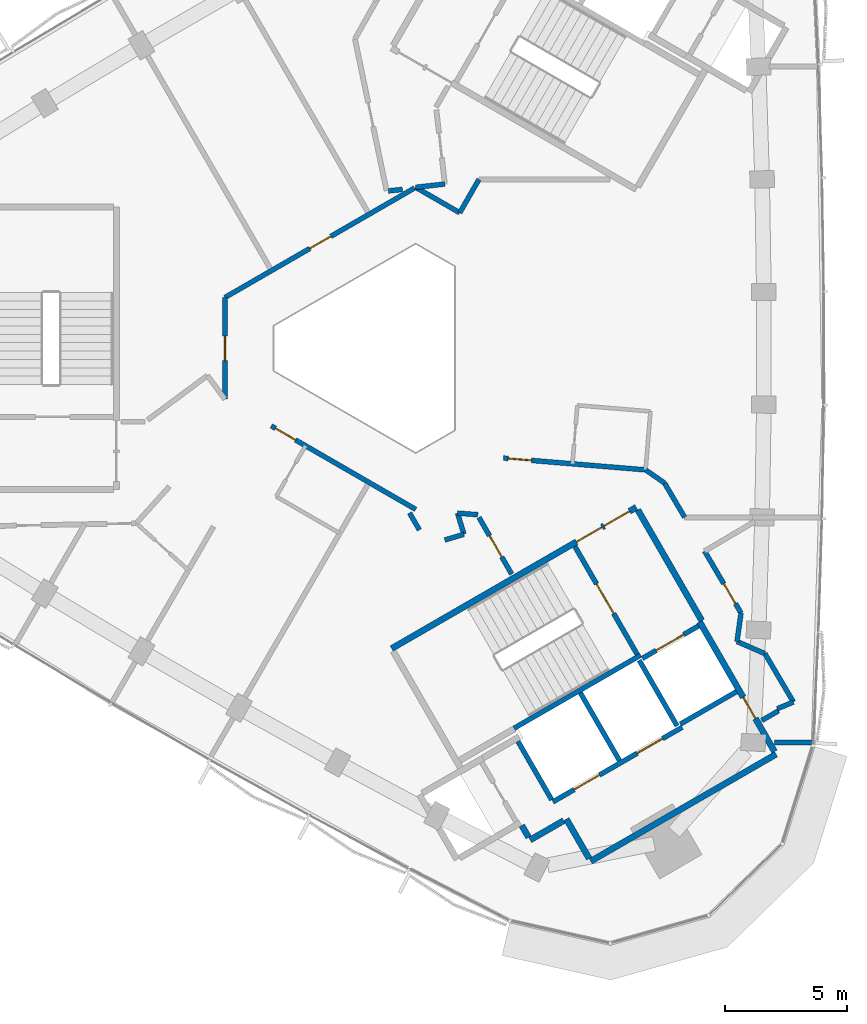
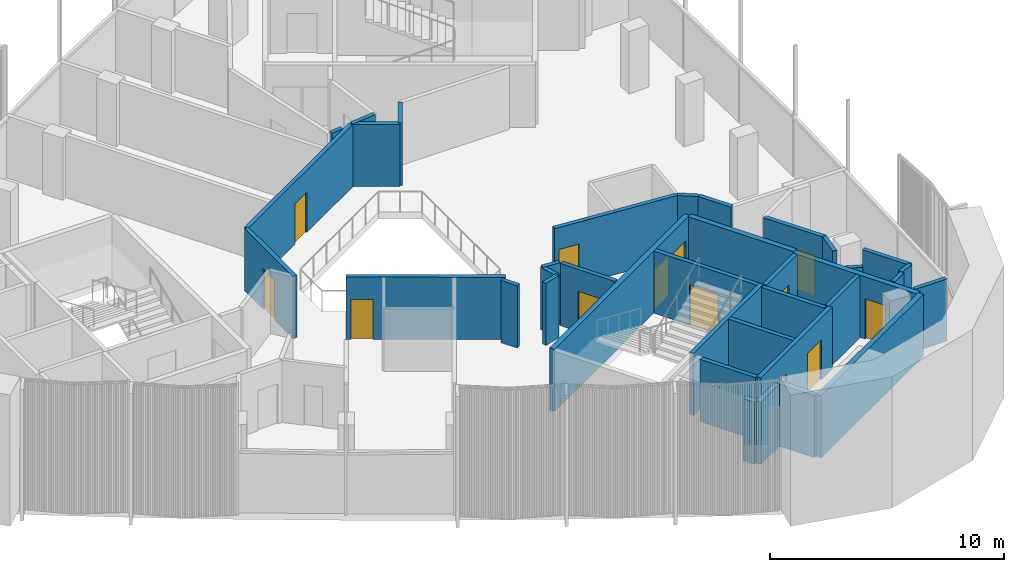
# One storey, part 7 of 12: 37 walls, 13 doors, 13 openings.
"""IFC4 building model written with IfcOpenShell, lengths in metres."""

from ifc_helpers import new_model, si_unit, direction, frame, frame_2d, origin, place, context, subcontext, project, spatial, rectangle, extrude, material, layer, layer_set, type_object, element, fill, save


model = new_model("IFC4")

# Units and contexts
model_context = context("Model", 3, precision=1e-05, world=origin(), true_north=direction((0.0, 1.0)))
body_context = subcontext(model_context, "Body", "Model", "MODEL_VIEW")
ifc_project = project(units=[si_unit("LENGTHUNIT", "METRE"), si_unit("AREAUNIT", "SQUARE_METRE"), si_unit("VOLUMEUNIT", "CUBIC_METRE"), si_unit("PLANEANGLEUNIT", "RADIAN"), si_unit("MASSUNIT", "GRAM", prefix="KILO")], contexts=[model_context])

# Site, building, storey
site_placement = place(None, origin())
site = spatial("IfcSite", under=ifc_project, at=site_placement, CompositionType="ELEMENT")
building_placement = place(site_placement, origin())
building = spatial("IfcBuilding", under=site, at=building_placement, Name="Tamra Quay Hotel Tower", CompositionType="ELEMENT")
storey_placement = place(building_placement, frame((0.0, 0.0, 273.0)))
storey = spatial("IfcBuildingStorey", under=building, at=storey_placement, Name="L69", CompositionType="ELEMENT", Elevation=273.0)

# Wall
ifc_material_1 = material(Name="Concrete M70", Category="concrete")
ifc_layer_1 = layer(ifc_material_1, 0.199951171875)
ifc_layer_set_1 = layer_set([ifc_layer_1], Name="Concrete M70 core wall 200")
wall_type_1 = type_object("IfcWallType", Name="Concrete M70 core wall 200", PredefinedType="SHEAR", material=ifc_layer_set_1)
wall_1_placement = place(storey_placement, frame((5.4189453125, -15.533935546875, 0.0), z_axis=(0.0, 0.0, 1.0), x_axis=(0.866029065029, 0.499993658486, 0.0)))
element("IfcWall", 1, at=wall_1_placement, inside=storey, type_object=wall_type_1, Name="CW2", PredefinedType="SHEAR", context=body_context, shape_type="SweptSolid", body=[
    extrude(rectangle(XDim=5.97412109375, YDim=0.199951171875, at=frame_2d((2.987060546875, 0.0))), origin(), (0.0, 0.0, 1.0), 3.25),
])

# Wall, openings, doors
wall_2_placement = place(storey_placement, frame((7.009765625, -18.54150390625, 0.0), z_axis=(0.0, 0.0, 1.0), x_axis=(0.866030299012, 0.499991521122, 0.0)))
wall_2 = element("IfcWall", 2, at=wall_2_placement, inside=storey, type_object=wall_type_1, Name="CW2", PredefinedType="SHEAR", context=body_context, shape_type="SweptSolid", body=[
    extrude(rectangle(XDim=6.10009765625, YDim=0.199951171875, at=frame_2d((3.050048828125, 0.0))), origin(), (0.0, 0.0, 1.0), 3.25),
])
opening_1_placement = place(wall_2_placement, frame((1.0, 0.0, 0.0)))
opening_1 = element("IfcOpeningElement", 3, at=opening_1_placement, cuts=wall_2, Name="Opening LD", PredefinedType="OPENING", context=body_context, shape_type="SweptSolid", body=[
    extrude(rectangle(XDim=1.199951171875, YDim=2.10009765625, at=frame_2d((0.60009765625, 1.050048828125))), frame((0.0, 0.10986328125, 0.0), z_axis=(0.0, -1.0, 0.0), x_axis=(1.0, 0.0, 0.0)), (0.0, 0.0, 1.0), 0.219970703125),
])
opening_2_placement = place(wall_2_placement, frame((3.982177734375, 0.0, 0.0)))
opening_2 = element("IfcOpeningElement", 4, at=opening_2_placement, cuts=wall_2, Name="Opening LD", PredefinedType="OPENING", context=body_context, shape_type="SweptSolid", body=[
    extrude(rectangle(XDim=1.199951171875, YDim=2.10009765625, at=frame_2d((0.60009765625, 1.050048828125))), frame((0.0, 0.10986328125, 0.0), z_axis=(0.0, -1.0, 0.0), x_axis=(1.0, 0.0, 0.0)), (0.0, 0.0, 1.0), 0.219970703125),
])
ifc_material_2 = material(Name="Landing door LD 1200 double door sliding")
door_type_1 = type_object("IfcDoorType", Name="Landing door LD 1200 double door sliding", OperationType="DOUBLE_DOOR_SLIDING", PredefinedType="DOOR", material=ifc_material_2)
door_1_placement = place(opening_1_placement, origin())
door_1 = element("IfcDoor", 5, at=door_1_placement, inside=storey, type_object=door_type_1, Name="LD", OperationType="DOUBLE_DOOR_SLIDING", OverallHeight=2.10009765625, OverallWidth=1.199951171875, PredefinedType="DOOR", context=body_context, shape_type="SweptSolid", body=[
    extrude(rectangle(XDim=1.199951171875, YDim=2.10009765625, at=frame_2d((0.60009765625, 1.050048828125))), frame((0.0, 0.02490234375, 0.0), z_axis=(0.0, -1.0, 0.0), x_axis=(1.0, 0.0, 0.0)), (0.0, 0.0, 1.0), 0.050048828125),
])
fill(opening_1, door_1)
door_2_placement = place(opening_2_placement, origin())
door_2 = element("IfcDoor", 6, at=door_2_placement, inside=storey, type_object=door_type_1, Name="LD", OperationType="DOUBLE_DOOR_SLIDING", OverallHeight=2.10009765625, OverallWidth=1.199951171875, PredefinedType="DOOR", context=body_context, shape_type="SweptSolid", body=[
    extrude(rectangle(XDim=1.199951171875, YDim=2.10009765625, at=frame_2d((0.60009765625, 1.050048828125))), frame((0.0, 0.02490234375, 0.0), z_axis=(0.0, -1.0, 0.0), x_axis=(1.0, 0.0, 0.0)), (0.0, 0.0, 1.0), 0.050048828125),
])
fill(opening_2, door_2)

# Wall, opening, door
wall_3_placement = place(storey_placement, frame((7.906494140625, -8.094482421875, 0.0), z_axis=(0.0, 0.0, 1.0), x_axis=(0.500027839223, -0.866009330205, 0.0)))
wall_3 = element("IfcWall", 7, at=wall_3_placement, inside=storey, type_object=wall_type_1, Name="CW2", PredefinedType="SHEAR", context=body_context, shape_type="SweptSolid", body=[
    extrude(rectangle(XDim=5.097900390625, YDim=0.199951171875, at=frame_2d((2.548828125, 0.0))), origin(), (0.0, 0.0, 1.0), 3.25),
])
opening_3_placement = place(wall_3_placement, frame((1.77392578125, 0.0, 0.0)))
opening_3 = element("IfcOpeningElement", 8, at=opening_3_placement, cuts=wall_3, Name="Opening FD2", PredefinedType="OPENING", context=body_context, shape_type="SweptSolid", body=[
    extrude(rectangle(XDim=1.39990234375, YDim=2.10009765625, at=frame_2d((0.699951171875, 1.050048828125))), frame((0.0, 0.10986328125, 0.0), z_axis=(0.0, -1.0, 0.0), x_axis=(1.0, 0.0, 0.0)), (0.0, 0.0, 1.0), 0.219970703125),
])
ifc_material_3 = material(Name="Core door FD2 1400x2100 LH")
door_type_2 = type_object("IfcDoorType", Name="Core door FD2 1400x2100 LH", OperationType="NOTDEFINED", PredefinedType="DOOR", material=ifc_material_3)
door_3_placement = place(opening_3_placement, origin())
door_3 = element("IfcDoor", 9, at=door_3_placement, inside=storey, type_object=door_type_2, Name="FD2", OperationType="SINGLE_SWING_LEFT", OverallHeight=2.10009765625, OverallWidth=1.39990234375, PredefinedType="DOOR", context=body_context, shape_type="SweptSolid", body=[
    extrude(rectangle(XDim=1.39990234375, YDim=2.10009765625, at=frame_2d((0.699951171875, 1.050048828125))), frame((0.0, 0.02490234375, 0.0), z_axis=(0.0, -1.0, 0.0), x_axis=(1.0, 0.0, 0.0)), (0.0, 0.0, 1.0), 0.050048828125),
])
fill(opening_3, door_3)

# Walls
wall_4_placement = place(storey_placement, frame((8.131591796875, -14.084228515625, 0.0), z_axis=(0.0, 0.0, 1.0), x_axis=(0.499997778408, -0.866026686418, 0.0)))
element("IfcWall", 10, at=wall_4_placement, inside=storey, type_object=wall_type_1, Name="CW2", PredefinedType="SHEAR", context=body_context, shape_type="SweptSolid", body=[
    extrude(rectangle(XDim=3.1982421875, YDim=0.199951171875, at=frame_2d((1.59912109375, 0.0))), origin(), (0.0, 0.0, 1.0), 3.25),
])
wall_5_placement = place(storey_placement, frame((6.959716796875, -18.455078125, 0.0), z_axis=(0.0, 0.0, 1.0), x_axis=(-0.499926705758, 0.866067716099, 0.0)))
element("IfcWall", 11, at=wall_5_placement, inside=storey, type_object=wall_type_1, Name="CW2", PredefinedType="SHEAR", context=body_context, shape_type="SweptSolid", body=[
    extrude(rectangle(XDim=2.75927734375, YDim=0.199951171875, at=frame_2d((1.379638671875, 0.0))), origin(), (0.0, 0.0, 1.0), 3.25),
])
wall_6_placement = place(storey_placement, frame((12.087646484375, -15.4365234375, 0.0), z_axis=(0.0, 0.0, 1.0), x_axis=(-0.500026960575, 0.86600983753, 0.0)))
element("IfcWall", 12, at=wall_6_placement, inside=storey, type_object=wall_type_1, Name="CW2", PredefinedType="SHEAR", context=body_context, shape_type="SweptSolid", body=[
    extrude(rectangle(XDim=3.099853515625, YDim=0.199951171875, at=frame_2d((1.5498046875, 0.0))), origin(), (0.0, 0.0, 1.0), 3.25),
])

# Wall, opening, door
wall_7_placement = place(storey_placement, frame((10.666015625, -12.677734375, 0.0), z_axis=(0.0, 0.0, 1.0), x_axis=(0.866018407898, 0.500012117035, 0.0)))
wall_7 = element("IfcWall", 13, at=wall_7_placement, inside=storey, type_object=wall_type_1, Name="CW2", PredefinedType="SHEAR", context=body_context, shape_type="SweptSolid", body=[
    extrude(rectangle(XDim=2.65087890625, YDim=0.199951171875, at=frame_2d((1.325439453125, 0.0))), origin(), (0.0, 0.0, 1.0), 3.25),
])
opening_4_placement = place(wall_7_placement, frame((0.65185546875, 0.0, 0.0)))
opening_4 = element("IfcOpeningElement", 14, at=opening_4_placement, cuts=wall_7, Name="Opening LD", PredefinedType="OPENING", context=body_context, shape_type="SweptSolid", body=[
    extrude(rectangle(XDim=1.300048828125, YDim=2.10009765625, at=frame_2d((0.64990234375, 1.050048828125))), frame((0.0, 0.10986328125, 0.0), z_axis=(0.0, -1.0, 0.0), x_axis=(1.0, 0.0, 0.0)), (0.0, 0.0, 1.0), 0.219970703125),
])
ifc_material_4 = material(Name="Landing door LD 1300 sliding to left")
door_type_3 = type_object("IfcDoorType", Name="Landing door LD 1300 sliding to left", OperationType="NOTDEFINED", PredefinedType="DOOR", material=ifc_material_4)
door_4_placement = place(opening_4_placement, origin())
door_4 = element("IfcDoor", 15, at=door_4_placement, inside=storey, type_object=door_type_3, Name="LD", OperationType="SLIDING_TO_LEFT", OverallHeight=2.10009765625, OverallWidth=1.300048828125, PredefinedType="DOOR", context=body_context, shape_type="SweptSolid", body=[
    extrude(rectangle(XDim=1.300048828125, YDim=2.10009765625, at=frame_2d((0.64990234375, 1.050048828125))), frame((0.0, 0.02490234375, 0.0), z_axis=(0.0, -1.0, 0.0), x_axis=(1.0, 0.0, 0.0)), (0.0, 0.0, 1.0), 0.050048828125),
])
fill(opening_4, door_4)

# Wall
wall_8_placement = place(storey_placement, frame((14.51171875, -14.037109375, 0.0), z_axis=(0.0, 0.0, 1.0), x_axis=(-0.866018407898, -0.500012117035, 0.0)))
element("IfcWall", 16, at=wall_8_placement, inside=storey, type_object=wall_type_1, Name="CW2", PredefinedType="SHEAR", context=body_context, shape_type="SweptSolid", body=[
    extrude(rectangle(XDim=2.65087890625, YDim=0.199951171875, at=frame_2d((1.325439453125, 0.0))), origin(), (0.0, 0.0, 1.0), 3.25),
])

# Wall, openings, doors
ifc_layer_2 = layer(ifc_material_1, 0.25)
ifc_layer_set_2 = layer_set([ifc_layer_2], Name="Concrete M70 core wall 250")
wall_type_2 = type_object("IfcWallType", Name="Concrete M70 core wall 250", PredefinedType="SHEAR", material=ifc_layer_set_2)
wall_9_placement = place(storey_placement, frame((0.417236328125, -12.27294921875, 0.0), z_axis=(0.0, 0.0, 1.0), x_axis=(0.866021906294, 0.500006057782, 0.0)))
wall_9 = element("IfcWall", 17, at=wall_9_placement, inside=storey, type_object=wall_type_2, Name="CW1", PredefinedType="SHEAR", context=body_context, shape_type="SweptSolid", body=[
    extrude(rectangle(XDim=11.550048828125, YDim=0.25, at=frame_2d((5.77490234375, 0.0))), origin(), (0.0, 0.0, 1.0), 3.25),
])
opening_5_placement = place(wall_9_placement, frame((10.024658203125, 0.0, 0.0)))
opening_5 = element("IfcOpeningElement", 18, at=opening_5_placement, cuts=wall_9, Name="Opening FD1", PredefinedType="OPENING", context=body_context, shape_type="SweptSolid", body=[
    extrude(rectangle(XDim=1.199951171875, YDim=2.10009765625, at=frame_2d((0.60009765625, 1.050048828125))), frame((0.0, 0.135009765625, 0.0), z_axis=(0.0, -1.0, 0.0), x_axis=(1.0, 0.0, 0.0)), (0.0, 0.0, 1.0), 0.27001953125),
])
opening_6_placement = place(wall_9_placement, frame((8.724609375, 0.0, 0.0)))
opening_6 = element("IfcOpeningElement", 19, at=opening_6_placement, cuts=wall_9, Name="Opening FD1", PredefinedType="OPENING", context=body_context, shape_type="SweptSolid", body=[
    extrude(rectangle(XDim=1.199951171875, YDim=2.10009765625, at=frame_2d((0.60009765625, 1.050048828125))), frame((0.0, 0.135009765625, 0.0), z_axis=(0.0, -1.0, 0.0), x_axis=(1.0, 0.0, 0.0)), (0.0, 0.0, 1.0), 0.27001953125),
])
ifc_material_5 = material(Name="Core door FD1 1200x2100 LH")
door_type_4 = type_object("IfcDoorType", Name="Core door FD1 1200x2100 LH", OperationType="NOTDEFINED", PredefinedType="DOOR", material=ifc_material_5)
door_5_placement = place(opening_5_placement, origin())
door_5 = element("IfcDoor", 20, at=door_5_placement, inside=storey, type_object=door_type_4, Name="FD1", OperationType="SINGLE_SWING_LEFT", OverallHeight=2.10009765625, OverallWidth=1.199951171875, PredefinedType="DOOR", context=body_context, shape_type="SweptSolid", body=[
    extrude(rectangle(XDim=1.199951171875, YDim=2.10009765625, at=frame_2d((0.60009765625, 1.050048828125))), frame((0.0, 0.02490234375, 0.0), z_axis=(0.0, -1.0, 0.0), x_axis=(1.0, 0.0, 0.0)), (0.0, 0.0, 1.0), 0.050048828125),
])
fill(opening_5, door_5)
ifc_material_6 = material(Name="Core door FD1 1200x2100 RH")
door_type_5 = type_object("IfcDoorType", Name="Core door FD1 1200x2100 RH", OperationType="NOTDEFINED", PredefinedType="DOOR", material=ifc_material_6)
door_6_placement = place(opening_6_placement, origin())
door_6 = element("IfcDoor", 21, at=door_6_placement, inside=storey, type_object=door_type_5, Name="FD1", OperationType="SINGLE_SWING_RIGHT", OverallHeight=2.10009765625, OverallWidth=1.199951171875, PredefinedType="DOOR", context=body_context, shape_type="SweptSolid", body=[
    extrude(rectangle(XDim=1.199951171875, YDim=2.10009765625, at=frame_2d((0.60009765625, 1.050048828125))), frame((0.0, 0.02490234375, 0.0), z_axis=(0.0, -1.0, 0.0), x_axis=(1.0, 0.0, 0.0)), (0.0, 0.0, 1.0), 0.050048828125),
])
fill(opening_6, door_6)

# Wall
wall_10_placement = place(storey_placement, frame((16.13330078125, -16.59375, 0.0), z_axis=(0.0, 0.0, 1.0), x_axis=(-0.866022959057, -0.500004234368, 0.0)))
element("IfcWall", 22, at=wall_10_placement, inside=storey, type_object=wall_type_2, Name="CW1", PredefinedType="SHEAR", context=body_context, shape_type="SweptSolid", body=[
    extrude(rectangle(XDim=8.75, YDim=0.25, at=frame_2d((4.375, 0.0))), origin(), (0.0, 0.0, 1.0), 3.25),
])

# Wall, opening, door
wall_11_placement = place(storey_placement, frame((13.00830078125, -11.18115234375, 0.0), z_axis=(0.0, 0.0, 1.0), x_axis=(0.500001955336, -0.866024274868, 0.0)))
wall_11 = element("IfcWall", 23, at=wall_11_placement, inside=storey, type_object=wall_type_2, Name="CW1", PredefinedType="SHEAR", context=body_context, shape_type="SweptSolid", body=[
    extrude(rectangle(XDim=6.12451171875, YDim=0.25, at=frame_2d((3.062255859375, 0.0))), origin(), (0.0, 0.0, 1.0), 3.25),
])
opening_7_placement = place(wall_11_placement, frame((3.562744140625, 0.0, 0.0)))
opening_7 = element("IfcOpeningElement", 24, at=opening_7_placement, cuts=wall_11, Name="Opening FD3", PredefinedType="OPENING", context=body_context, shape_type="SweptSolid", body=[
    extrude(rectangle(XDim=1.0, YDim=2.10009765625, at=frame_2d((0.5, 1.050048828125))), frame((0.0, 0.135009765625, 0.0), z_axis=(0.0, -1.0, 0.0), x_axis=(1.0, 0.0, 0.0)), (0.0, 0.0, 1.0), 0.27001953125),
])
ifc_material_7 = material(Name="Core door FD3 1000x2100 LH")
door_type_6 = type_object("IfcDoorType", Name="Core door FD3 1000x2100 LH", OperationType="NOTDEFINED", PredefinedType="DOOR", material=ifc_material_7)
door_7_placement = place(opening_7_placement, origin())
door_7 = element("IfcDoor", 25, at=door_7_placement, inside=storey, type_object=door_type_6, Name="FD3", OperationType="SINGLE_SWING_LEFT", OverallHeight=2.10009765625, OverallWidth=1.0, PredefinedType="DOOR", context=body_context, shape_type="SweptSolid", body=[
    extrude(rectangle(XDim=1.0, YDim=2.10009765625, at=frame_2d((0.5, 1.050048828125))), frame((0.0, 0.02490234375, 0.0), z_axis=(0.0, -1.0, 0.0), x_axis=(1.0, 0.0, 0.0)), (0.0, 0.0, 1.0), 0.050048828125),
])
fill(opening_7, door_7)

# Walls
wall_12_placement = place(storey_placement, frame((10.482666015625, -6.6064453125, 0.0), z_axis=(0.0, 0.0, 1.0), x_axis=(0.49999885962, -0.866026062182, 0.0)))
element("IfcWall", 26, at=wall_12_placement, inside=storey, type_object=wall_type_2, Name="CW1", PredefinedType="SHEAR", context=body_context, shape_type="SweptSolid", body=[
    extrude(rectangle(XDim=5.224609375, YDim=0.25, at=frame_2d((2.6123046875, 0.0))), origin(), (0.0, 0.0, 1.0), 3.25),
])
wall_13_placement = place(storey_placement, frame((8.492919921875, -20.860107421875, 0.0), z_axis=(0.0, 0.0, 1.0), x_axis=(-0.500039802285, 0.866002422705, 0.0)))
element("IfcWall", 27, at=wall_13_placement, inside=storey, type_object=wall_type_2, Name="CW1", PredefinedType="SHEAR", context=body_context, shape_type="SweptSolid", body=[
    extrude(rectangle(XDim=1.864501953125, YDim=0.25, at=frame_2d((0.93212890625, 0.0))), origin(), (0.0, 0.0, 1.0), 3.25),
])
wall_14_placement = place(storey_placement, frame((7.451904296875, -19.30810546875, 0.0), z_axis=(0.0, 0.0, 1.0), x_axis=(-0.866044474677, -0.49996696679, 0.0)))
element("IfcWall", 28, at=wall_14_placement, inside=storey, type_object=wall_type_2, Name="CW1", PredefinedType="SHEAR", context=body_context, shape_type="SweptSolid", body=[
    extrude(rectangle(XDim=1.58447265625, YDim=0.25, at=frame_2d((0.792236328125, 0.0))), origin(), (0.0, 0.0, 1.0), 3.25),
])
wall_15_placement = place(storey_placement, frame((6.01708984375, -19.99169921875, 0.0), z_axis=(0.0, 0.0, 1.0), x_axis=(-0.500364886717, 0.865814633822, 0.0)))
element("IfcWall", 29, at=wall_15_placement, inside=storey, type_object=wall_type_2, Name="CW1", PredefinedType="SHEAR", context=body_context, shape_type="SweptSolid", body=[
    extrude(rectangle(XDim=0.55908203125, YDim=0.25, at=frame_2d((0.279541015625, 0.0))), origin(), (0.0, 0.0, 1.0), 3.25),
])

# Wall, opening, door
ifc_material_8 = material(Name="Partition corridor wall")
ifc_layer_3 = layer(ifc_material_8, 0.199951171875)
ifc_layer_set_3 = layer_set([ifc_layer_3], Name="Partition corridor wall")
wall_type_3 = type_object("IfcWallType", Name="Partition corridor wall", PredefinedType="PARTITIONING", material=ifc_layer_set_3)
wall_16_placement = place(storey_placement, frame((-6.39990234375, -2.077880859375, 0.0), z_axis=(0.0, 0.0, 1.0), x_axis=(0.0, 1.0, 0.0)))
wall_16 = element("IfcWall", 30, at=wall_16_placement, inside=storey, type_object=wall_type_3, Name="W-C", PredefinedType="PARTITIONING", context=body_context, shape_type="SweptSolid", body=[
    extrude(rectangle(XDim=4.156982421875, YDim=0.199951171875, at=frame_2d((2.07861328125, 0.0))), origin(), (0.0, 0.0, 1.0), 3.25),
])
opening_8_placement = place(wall_16_placement, frame((1.57861328125, 0.0, 0.0)))
opening_8 = element("IfcOpeningElement", 31, at=opening_8_placement, cuts=wall_16, Name="Opening L69-D008", PredefinedType="OPENING", context=body_context, shape_type="SweptSolid", body=[
    extrude(rectangle(XDim=1.0, YDim=2.10009765625, at=frame_2d((0.5, 1.050048828125))), frame((0.0, 0.10986328125, 0.0), z_axis=(0.0, -1.0, 0.0), x_axis=(1.0, 0.0, 0.0)), (0.0, 0.0, 1.0), 0.219970703125),
])
ifc_material_9 = material(Name="Door guest room 1000x2100")
door_type_7 = type_object("IfcDoorType", Name="Door guest room 1000x2100", OperationType="NOTDEFINED", PredefinedType="DOOR", material=ifc_material_9)
door_8_placement = place(opening_8_placement, origin())
door_8 = element("IfcDoor", 32, at=door_8_placement, inside=storey, type_object=door_type_7, Name="L69-D008", OperationType="SINGLE_SWING_LEFT", OverallHeight=2.10009765625, OverallWidth=1.0, PredefinedType="DOOR", context=body_context, shape_type="SweptSolid", body=[
    extrude(rectangle(XDim=1.0, YDim=2.10009765625, at=frame_2d((0.5, 1.050048828125))), frame((0.0, 0.02490234375, 0.0), z_axis=(0.0, -1.0, 0.0), x_axis=(1.0, 0.0, 0.0)), (0.0, 0.0, 1.0), 0.050048828125),
])
fill(opening_8, door_8)

wall_17_placement = place(storey_placement, frame((-6.39990234375, 2.07861328125, 0.0), z_axis=(0.0, 0.0, 1.0), x_axis=(0.866044821263, 0.499966366432, 0.0)))
wall_17 = element("IfcWall", 33, at=wall_17_placement, inside=storey, type_object=wall_type_3, Name="W-C", PredefinedType="PARTITIONING", context=body_context, shape_type="SweptSolid", body=[
    extrude(rectangle(XDim=8.953125, YDim=0.199951171875, at=frame_2d((4.4765625, 0.0))), origin(), (0.0, 0.0, 1.0), 3.25),
])
opening_9_placement = place(wall_17_placement, frame((4.003173828125, 0.0, 0.0)))
opening_9 = element("IfcOpeningElement", 34, at=opening_9_placement, cuts=wall_17, Name="Opening L69-D007", PredefinedType="OPENING", context=body_context, shape_type="SweptSolid", body=[
    extrude(rectangle(XDim=1.0, YDim=2.10009765625, at=frame_2d((0.5, 1.050048828125))), frame((0.0, 0.10986328125, 0.0), z_axis=(0.0, -1.0, 0.0), x_axis=(1.0, 0.0, 0.0)), (0.0, 0.0, 1.0), 0.219970703125),
])
door_9_placement = place(opening_9_placement, origin())
door_9 = element("IfcDoor", 35, at=door_9_placement, inside=storey, type_object=door_type_7, Name="L69-D007", OperationType="SINGLE_SWING_LEFT", OverallHeight=2.10009765625, OverallWidth=1.0, PredefinedType="DOOR", context=body_context, shape_type="SweptSolid", body=[
    extrude(rectangle(XDim=1.0, YDim=2.10009765625, at=frame_2d((0.5, 1.050048828125))), frame((0.0, 0.02490234375, 0.0), z_axis=(0.0, -1.0, 0.0), x_axis=(1.0, 0.0, 0.0)), (0.0, 0.0, 1.0), 0.050048828125),
])
fill(opening_9, door_9)

wall_18_placement = place(storey_placement, frame((-4.5048828125, -3.172119140625, 0.0), z_axis=(0.0, 0.0, 1.0), x_axis=(0.865815783666, -0.500362897061, 0.0)))
wall_18 = element("IfcWall", 36, at=wall_18_placement, inside=storey, type_object=wall_type_3, Name="W-C", PredefinedType="PARTITIONING", context=body_context, shape_type="SweptSolid", body=[
    extrude(rectangle(XDim=6.81884765625, YDim=0.199951171875, at=frame_2d((3.409423828125, 0.0))), origin(), (0.0, 0.0, 1.0), 3.25),
])
opening_10_placement = place(wall_18_placement, frame((0.199951171875, 0.0, 0.0)))
opening_10 = element("IfcOpeningElement", 37, at=opening_10_placement, cuts=wall_18, Name="Opening L69-D012", PredefinedType="OPENING", context=body_context, shape_type="SweptSolid", body=[
    extrude(rectangle(XDim=0.949951171875, YDim=2.10009765625, at=frame_2d((0.47509765625, 1.050048828125))), frame((0.0, 0.10986328125, 0.0), z_axis=(0.0, -1.0, 0.0), x_axis=(1.0, 0.0, 0.0)), (0.0, 0.0, 1.0), 0.219970703125),
])
ifc_material_10 = material(Name="Door guest room 950x2100")
door_type_8 = type_object("IfcDoorType", Name="Door guest room 950x2100", OperationType="NOTDEFINED", PredefinedType="DOOR", material=ifc_material_10)
door_10_placement = place(opening_10_placement, frame((0.949951171875, 0.0, 0.0), z_axis=(0.0, 0.0, 1.0), x_axis=(-1.0, 0.0, 0.0)))
door_10 = element("IfcDoor", 38, at=door_10_placement, inside=storey, type_object=door_type_8, Name="L69-D012", OperationType="SINGLE_SWING_LEFT", OverallHeight=2.10009765625, OverallWidth=0.949951171875, PredefinedType="DOOR", context=body_context, shape_type="SweptSolid", body=[
    extrude(rectangle(XDim=0.949951171875, YDim=2.10009765625, at=frame_2d((0.47509765625, 1.050048828125))), frame((0.0, 0.02490234375, 0.0), z_axis=(0.0, -1.0, 0.0), x_axis=(1.0, 0.0, 0.0)), (0.0, 0.0, 1.0), 0.050048828125),
])
fill(opening_10, door_10)

# Walls
wall_19_placement = place(storey_placement, frame((0.285888671875, 6.43408203125, 0.0), z_axis=(0.0, 0.0, 1.0), x_axis=(0.993674480486, 0.112298828274, 0.0)))
element("IfcWall", 39, at=wall_19_placement, inside=storey, type_object=wall_type_3, Name="W-C", PredefinedType="PARTITIONING", context=body_context, shape_type="SweptSolid", body=[
    extrude(rectangle(XDim=0.573974609375, YDim=0.199951171875, at=frame_2d((0.287109375, 0.0))), origin(), (0.0, 0.0, 1.0), 3.25),
])
wall_20_placement = place(storey_placement, frame((1.14794921875, -6.72802734375, 0.0), z_axis=(0.0, 0.0, 1.0), x_axis=(0.499696187967, -0.866200738704, 0.0)))
element("IfcWall", 40, at=wall_20_placement, inside=storey, type_object=wall_type_3, Name="W-C", PredefinedType="PARTITIONING", context=body_context, shape_type="SweptSolid", body=[
    extrude(rectangle(XDim=0.8046875, YDim=0.199951171875, at=frame_2d((0.40234375, 0.0))), origin(), (0.0, 0.0, 1.0), 3.25),
])
wall_21_placement = place(storey_placement, frame((1.39990234375, 6.58203125, 0.0), z_axis=(0.0, 0.0, 1.0), x_axis=(0.993556915844, 0.11333426216, 0.0)))
element("IfcWall", 41, at=wall_21_placement, inside=storey, type_object=wall_type_3, Name="W-C", PredefinedType="PARTITIONING", context=body_context, shape_type="SweptSolid", body=[
    extrude(rectangle(XDim=1.199951171875, YDim=0.199951171875, at=frame_2d((0.60009765625, 0.0))), origin(), (0.0, 0.0, 1.0), 3.25),
])
wall_22_placement = place(storey_placement, frame((1.39990234375, 6.58203125, 0.0), z_axis=(0.0, 0.0, 1.0), x_axis=(0.866066271601, -0.499929208183, 0.0)))
element("IfcWall", 42, at=wall_22_placement, inside=storey, type_object=wall_type_3, Name="W-C", PredefinedType="PARTITIONING", context=body_context, shape_type="SweptSolid", body=[
    extrude(rectangle(XDim=2.078369140625, YDim=0.199951171875, at=frame_2d((1.0390625, 0.0))), origin(), (0.0, 0.0, 1.0), 3.25),
])
wall_23_placement = place(storey_placement, frame((2.591064453125, -7.8369140625, 0.0), z_axis=(0.0, 0.0, 1.0), x_axis=(0.956974070788, 0.290173444409, 0.0)))
element("IfcWall", 43, at=wall_23_placement, inside=storey, type_object=wall_type_3, Name="W-C", PredefinedType="PARTITIONING", context=body_context, shape_type="SweptSolid", body=[
    extrude(rectangle(XDim=0.816162109375, YDim=0.199951171875, at=frame_2d((0.408203125, 0.0))), origin(), (0.0, 0.0, 1.0), 3.25),
])
wall_24_placement = place(storey_placement, frame((3.110107421875, -6.739013671875, 0.0), z_axis=(0.0, 0.0, 1.0), x_axis=(0.291053676179, -0.95670672496, 0.0)))
element("IfcWall", 44, at=wall_24_placement, inside=storey, type_object=wall_type_3, Name="W-C", PredefinedType="PARTITIONING", context=body_context, shape_type="SweptSolid", body=[
    extrude(rectangle(XDim=0.900146484375, YDim=0.199951171875, at=frame_2d((0.4501953125, 0.0))), origin(), (0.0, 0.0, 1.0), 3.25),
])
wall_25_placement = place(storey_placement, frame((3.110107421875, -6.739013671875, 0.0), z_axis=(0.0, 0.0, 1.0), x_axis=(0.997219513188, -0.074520081303, 0.0)))
element("IfcWall", 45, at=wall_25_placement, inside=storey, type_object=wall_type_3, Name="W-C", PredefinedType="PARTITIONING", context=body_context, shape_type="SweptSolid", body=[
    extrude(rectangle(XDim=0.83203125, YDim=0.199951171875, at=frame_2d((0.416015625, 0.0))), origin(), (0.0, 0.0, 1.0), 3.25),
])

# Wall, opening, door
wall_26_placement = place(storey_placement, frame((3.987060546875, -6.910888671875, 0.0), z_axis=(0.0, 0.0, 1.0), x_axis=(0.499458942258, -0.866337558345, 0.0)))
wall_26 = element("IfcWall", 46, at=wall_26_placement, inside=storey, type_object=wall_type_3, Name="W-C", PredefinedType="PARTITIONING", context=body_context, shape_type="SweptSolid", body=[
    extrude(rectangle(XDim=2.673828125, YDim=0.199951171875, at=frame_2d((1.3369140625, 0.0))), origin(), (0.0, 0.0, 1.0), 3.25),
])
opening_11_placement = place(wall_26_placement, frame((0.8671875, 0.0, 0.0)))
opening_11 = element("IfcOpeningElement", 47, at=opening_11_placement, cuts=wall_26, Name="Opening L69-D014", PredefinedType="OPENING", context=body_context, shape_type="SweptSolid", body=[
    extrude(rectangle(XDim=1.0, YDim=2.10009765625, at=frame_2d((0.5, 1.050048828125))), frame((0.0, 0.10986328125, 0.0), z_axis=(0.0, -1.0, 0.0), x_axis=(1.0, 0.0, 0.0)), (0.0, 0.0, 1.0), 0.219970703125),
])
door_11_placement = place(opening_11_placement, frame((1.0, 0.0, 0.0), z_axis=(0.0, 0.0, 1.0), x_axis=(-1.0, 0.0, 0.0)))
door_11 = element("IfcDoor", 48, at=door_11_placement, inside=storey, type_object=door_type_7, Name="L69-D014", OperationType="SINGLE_SWING_LEFT", OverallHeight=2.10009765625, OverallWidth=1.0, PredefinedType="DOOR", context=body_context, shape_type="SweptSolid", body=[
    extrude(rectangle(XDim=1.0, YDim=2.10009765625, at=frame_2d((0.5, 1.050048828125))), frame((0.0, 0.02490234375, 0.0), z_axis=(0.0, -1.0, 0.0), x_axis=(1.0, 0.0, 0.0)), (0.0, 0.0, 1.0), 0.050048828125),
])
fill(opening_11, door_11)

wall_27_placement = place(storey_placement, frame((4.988037109375, -4.487060546875, 0.0), z_axis=(0.0, 0.0, 1.0), x_axis=(0.996576293439, -0.08267823992, 0.0)))
wall_27 = element("IfcWall", 49, at=wall_27_placement, inside=storey, type_object=wall_type_3, Name="W-C", PredefinedType="PARTITIONING", context=body_context, shape_type="SweptSolid", body=[
    extrude(rectangle(XDim=5.83203125, YDim=0.199951171875, at=frame_2d((2.916015625, 0.0))), origin(), (0.0, 0.0, 1.0), 3.25),
])
opening_12_placement = place(wall_27_placement, frame((0.199951171875, 0.0, 0.0)))
opening_12 = element("IfcOpeningElement", 50, at=opening_12_placement, cuts=wall_27, Name="Opening L69-D002", PredefinedType="OPENING", context=body_context, shape_type="SweptSolid", body=[
    extrude(rectangle(XDim=0.949951171875, YDim=2.10009765625, at=frame_2d((0.47509765625, 1.050048828125))), frame((0.0, 0.10986328125, 0.0), z_axis=(0.0, -1.0, 0.0), x_axis=(1.0, 0.0, 0.0)), (0.0, 0.0, 1.0), 0.219970703125),
])
door_12_placement = place(opening_12_placement, origin())
door_12 = element("IfcDoor", 51, at=door_12_placement, inside=storey, type_object=door_type_8, Name="L69-D002", OperationType="SINGLE_SWING_LEFT", OverallHeight=2.10009765625, OverallWidth=0.949951171875, PredefinedType="DOOR", context=body_context, shape_type="SweptSolid", body=[
    extrude(rectangle(XDim=0.949951171875, YDim=2.10009765625, at=frame_2d((0.47509765625, 1.050048828125))), frame((0.0, 0.02490234375, 0.0), z_axis=(0.0, -1.0, 0.0), x_axis=(1.0, 0.0, 0.0)), (0.0, 0.0, 1.0), 0.050048828125),
])
fill(opening_12, door_12)

# Walls
wall_28_placement = place(storey_placement, frame((10.800048828125, -4.969970703125, 0.0), z_axis=(0.0, 0.0, 1.0), x_axis=(0.822107837165, -0.569331804902, 0.0)))
element("IfcWall", 52, at=wall_28_placement, inside=storey, type_object=wall_type_3, Name="W-C", PredefinedType="PARTITIONING", context=body_context, shape_type="SweptSolid", body=[
    extrude(rectangle(XDim=0.937744140625, YDim=0.199951171875, at=frame_2d((0.46875, 0.0))), origin(), (0.0, 0.0, 1.0), 3.25),
])
wall_29_placement = place(storey_placement, frame((11.571044921875, -5.5048828125, 0.0), z_axis=(0.0, 0.0, 1.0), x_axis=(0.507321116571, -0.86175709146, 0.0)))
element("IfcWall", 53, at=wall_29_placement, inside=storey, type_object=wall_type_3, Name="W-C", PredefinedType="PARTITIONING", context=body_context, shape_type="SweptSolid", body=[
    extrude(rectangle(XDim=1.63037109375, YDim=0.199951171875, at=frame_2d((0.815185546875, 0.0))), origin(), (0.0, 0.0, 1.0), 3.25),
])

# Wall, opening, door
wall_30_placement = place(storey_placement, frame((13.2099609375, -8.2890625, 0.0), z_axis=(0.0, 0.0, 1.0), x_axis=(0.507314348132, -0.861761076041, 0.0)))
wall_30 = element("IfcWall", 54, at=wall_30_placement, inside=storey, type_object=wall_type_3, Name="W-C", PredefinedType="PARTITIONING", context=body_context, shape_type="SweptSolid", body=[
    extrude(rectangle(XDim=2.93701171875, YDim=0.199951171875, at=frame_2d((1.468505859375, 0.0))), origin(), (0.0, 0.0, 1.0), 3.25),
])
opening_13_placement = place(wall_30_placement, frame((1.549072265625, 0.0, 0.0)))
opening_13 = element("IfcOpeningElement", 55, at=opening_13_placement, cuts=wall_30, Name="Opening L69-D001", PredefinedType="OPENING", context=body_context, shape_type="SweptSolid", body=[
    extrude(rectangle(XDim=0.949951171875, YDim=2.10009765625, at=frame_2d((0.47509765625, 1.050048828125))), frame((0.0, 0.10986328125, 0.0), z_axis=(0.0, -1.0, 0.0), x_axis=(1.0, 0.0, 0.0)), (0.0, 0.0, 1.0), 0.219970703125),
])
door_13_placement = place(opening_13_placement, origin())
door_13 = element("IfcDoor", 56, at=door_13_placement, inside=storey, type_object=door_type_8, Name="L69-D001", OperationType="SINGLE_SWING_LEFT", OverallHeight=2.10009765625, OverallWidth=0.949951171875, PredefinedType="DOOR", context=body_context, shape_type="SweptSolid", body=[
    extrude(rectangle(XDim=0.949951171875, YDim=2.10009765625, at=frame_2d((0.47509765625, 1.050048828125))), frame((0.0, 0.02490234375, 0.0), z_axis=(0.0, -1.0, 0.0), x_axis=(1.0, 0.0, 0.0)), (0.0, 0.0, 1.0), 0.050048828125),
])
fill(opening_13, door_13)

# Walls
wall_31_placement = place(storey_placement, frame((14.535888671875, -11.987060546875, 0.0), z_axis=(0.0, 0.0, 1.0), x_axis=(0.139331074948, 0.990245854096, 0.0)))
element("IfcWall", 57, at=wall_31_placement, inside=storey, type_object=wall_type_3, Name="W-C", PredefinedType="PARTITIONING", context=body_context, shape_type="SweptSolid", body=[
    extrude(rectangle(XDim=1.177490234375, YDim=0.199951171875, at=frame_2d((0.5888671875, 0.0))), origin(), (0.0, 0.0, 1.0), 3.25),
])
wall_32_placement = place(storey_placement, frame((14.535888671875, -11.987060546875, 0.0), z_axis=(0.0, 0.0, 1.0), x_axis=(0.918013607861, -0.396548881958, 0.0)))
element("IfcWall", 58, at=wall_32_placement, inside=storey, type_object=wall_type_3, Name="W-C", PredefinedType="PARTITIONING", context=body_context, shape_type="SweptSolid", body=[
    extrude(rectangle(XDim=1.242919921875, YDim=0.199951171875, at=frame_2d((0.62158203125, 0.0))), origin(), (0.0, 0.0, 1.0), 2.35009765625),
])
wall_33_placement = place(storey_placement, frame((15.5498046875, -15.213134765625, 0.0), z_axis=(0.0, 0.0, 1.0), x_axis=(0.865989998118, 0.500061319399, 0.0)))
element("IfcWall", 59, at=wall_33_placement, inside=storey, type_object=wall_type_3, Name="W-C", PredefinedType="PARTITIONING", context=body_context, shape_type="SweptSolid", body=[
    extrude(rectangle(XDim=0.7900390625, YDim=0.199951171875, at=frame_2d((0.39501953125, 0.0))), origin(), (0.0, 0.0, 1.0), 3.25),
])
wall_34_placement = place(storey_placement, frame((15.67724609375, -12.47998046875, 0.0), z_axis=(0.0, 0.0, 1.0), x_axis=(0.507256975253, -0.861794848591, 0.0)))
element("IfcWall", 60, at=wall_34_placement, inside=storey, type_object=wall_type_3, Name="W-C", PredefinedType="PARTITIONING", context=body_context, shape_type="SweptSolid", body=[
    extrude(rectangle(XDim=2.297119140625, YDim=0.199951171875, at=frame_2d((1.1484375, 0.0))), origin(), (0.0, 0.0, 1.0), 3.25),
])
wall_35_placement = place(storey_placement, frame((16.18505859375, -14.73291015625, 0.0), z_axis=(0.0, 0.0, 1.0), x_axis=(0.923472400107, 0.38366486188, 0.0)))
element("IfcWall", 61, at=wall_35_placement, inside=storey, type_object=wall_type_3, Name="W-C", PredefinedType="PARTITIONING", context=body_context, shape_type="SweptSolid", body=[
    extrude(rectangle(XDim=0.71142578125, YDim=0.199951171875, at=frame_2d((0.355712890625, 0.0))), origin(), (0.0, 0.0, 1.0), 3.25),
])
ifc_material_11 = material(Name="Partition party wall")
ifc_layer_4 = layer(ifc_material_11, 0.199951171875)
ifc_layer_set_4 = layer_set([ifc_layer_4], Name="Partition party wall")
wall_type_4 = type_object("IfcWallType", Name="Partition party wall", PredefinedType="PARTITIONING", material=ifc_layer_set_4)
wall_36_placement = place(storey_placement, frame((3.199951171875, 5.54296875, 0.0), z_axis=(0.0, 0.0, 1.0), x_axis=(0.499342032259, 0.86640494852, 0.0)))
element("IfcWall", 62, at=wall_36_placement, inside=storey, type_object=wall_type_4, Name="W-P", PredefinedType="PARTITIONING", context=body_context, shape_type="SweptSolid", body=[
    extrude(rectangle(XDim=1.57421875, YDim=0.199951171875, at=frame_2d((0.787109375, 0.0))), origin(), (0.0, 0.0, 1.0), 3.25),
])
wall_37_placement = place(storey_placement, frame((16.07177734375, -16.116943359375, 0.0), z_axis=(0.0, 0.0, 1.0), x_axis=(1.0, 0.0, 0.0)))
element("IfcWall", 63, at=wall_37_placement, inside=storey, type_object=wall_type_4, Name="W-P", PredefinedType="PARTITIONING", context=body_context, shape_type="SweptSolid", body=[
    extrude(rectangle(XDim=1.578369140625, YDim=0.199951171875, at=frame_2d((0.7890625, 0.0))), origin(), (0.0, 0.0, 1.0), 3.25),
])

save(model, "model.ifc")
